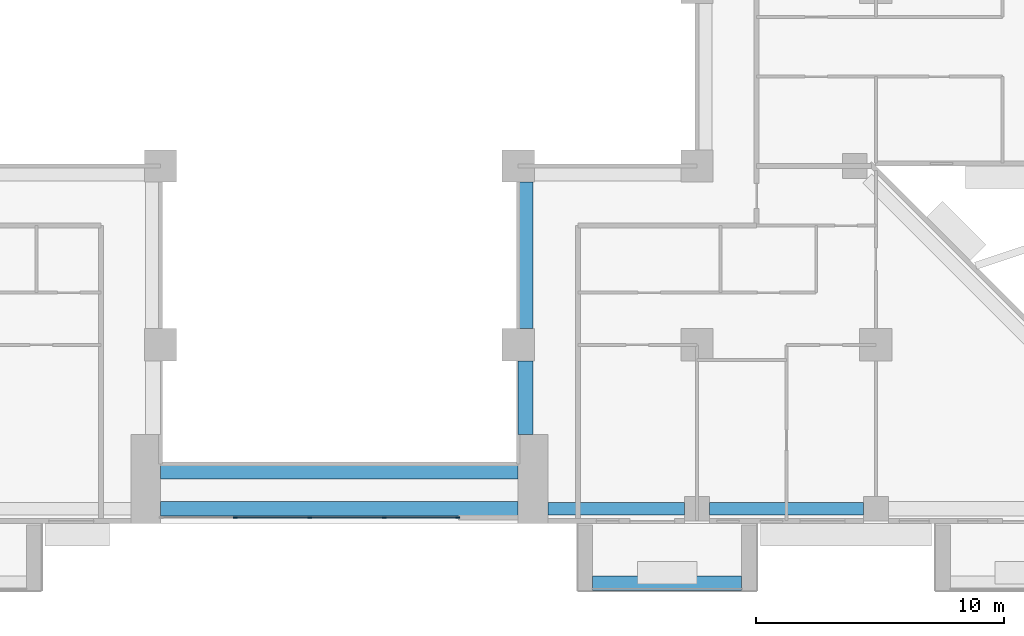
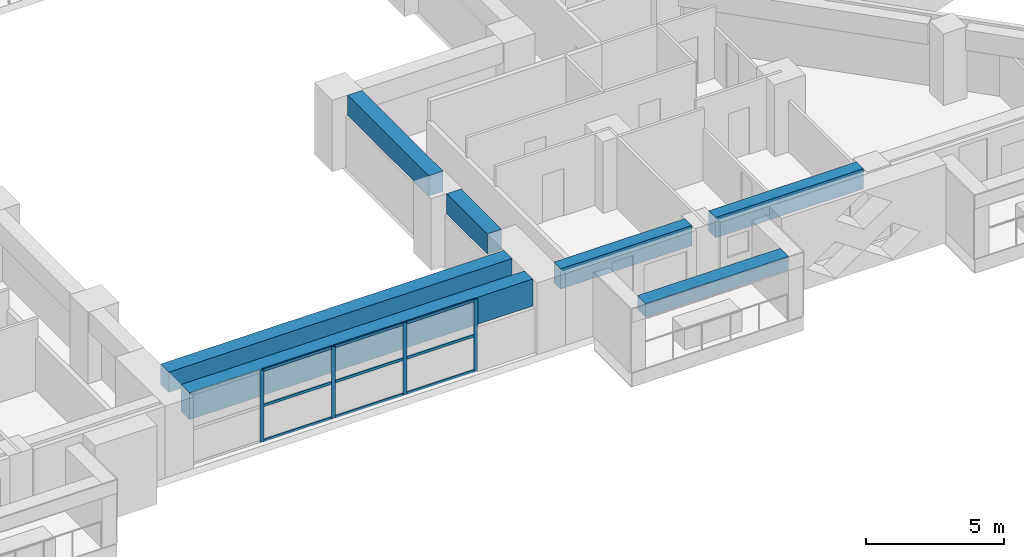
# One storey, part 4 of 17: 13 members, 7 beams, 1 element without a shape of its own.
"""IFC4 building model written with IfcOpenShell, lengths in metres."""

from ifc_helpers import new_model, si_unit, direction, frame, origin, origin_2d, place, context, subcontext, project, spatial, rectangle, extrude, source, transform, mapped, material, layer, layer_set, material_profile, profile_set, type_object, element, aggregate, save


model = new_model("IFC4")

# Units and contexts
model_context = context("Model", 3, precision=1e-05, world=origin(), true_north=direction((0.0, 1.0)))
body_context = subcontext(model_context, "Body", "Model", "MODEL_VIEW")
ifc_project = project(units=[si_unit("LENGTHUNIT", "METRE"), si_unit("AREAUNIT", "SQUARE_METRE"), si_unit("VOLUMEUNIT", "CUBIC_METRE"), si_unit("PLANEANGLEUNIT", "RADIAN"), si_unit("MASSUNIT", "GRAM", prefix="KILO")], contexts=[model_context])

# Site, building, storey
site_placement = place(None, origin())
site = spatial("IfcSite", under=ifc_project, at=site_placement, CompositionType="ELEMENT")
building_placement = place(site_placement, origin())
building = spatial("IfcBuilding", under=site, at=building_placement, Name="Saffron Iwan Residences", CompositionType="ELEMENT")
storey_placement = place(building_placement, frame((0.0, 0.0, 79.5)))
storey = spatial("IfcBuildingStorey", under=building, at=storey_placement, Name="L20", CompositionType="ELEMENT", Elevation=79.5)

# Beams
ifc_material_1 = material(Name="Concrete C60/75", Category="concrete")
ifc_material_profile_1 = material_profile(ifc_material_1, rectangle(XDim=0.60009765625, YDim=1.199951171875, at=origin_2d()), Name="RC 600x1200")
ifc_profile_set_1 = profile_set([ifc_material_profile_1], Name="Concrete C60/75")
beam_type_1 = type_object("IfcBeamType", Name="LINTEL BEAM RC 600x1200 C60/75 TOP 3180", PredefinedType="LINTEL", material=ifc_profile_set_1)
shared_shape_1 = source(origin(), body_context, "Body", "SweptSolid", [
    extrude(rectangle(XDim=0.60009765625, YDim=1.199951171875, at=origin_2d()), origin(), (0.0, 0.0, 1.0), 14.400146484375),
])
beam_1_placement = place(storey_placement, frame((57.60009765625, 34.199951171875, 2.580078125), z_axis=(-1.0, 0.0, 0.0), x_axis=(0.0, -1.0, 0.0)))
element("IfcBeam", 1, at=beam_1_placement, inside=storey, type_object=beam_type_1, Name="Lintel beam over the iwan", PredefinedType="LINTEL", context=body_context, shape_type="MappedRepresentation", body=[
    mapped(shared_shape_1, transform((0.0, 0.0, 0.0))),
])
ifc_material_profile_2 = material_profile(ifc_material_1, rectangle(XDim=0.60009765625, YDim=0.89990234375, at=origin_2d()), Name="RC 600x900")
ifc_profile_set_2 = profile_set([ifc_material_profile_2], Name="Concrete C60/75")
beam_type_2 = type_object("IfcBeamType", Name="BEAM RC 600x900 C60/75 TOP 3180", PredefinedType="BEAM", material=ifc_profile_set_2)
shared_shape_2 = source(origin(), body_context, "Body", "SweptSolid", [
    extrude(rectangle(XDim=0.60009765625, YDim=0.89990234375, at=origin_2d()), origin(), (0.0, 0.0, 1.0), 14.400146484375),
])
beam_2_placement = place(storey_placement, frame((57.60009765625, 35.699951171875, 2.72998046875), z_axis=(-1.0, 0.0, 0.0), x_axis=(0.0, -1.0, 0.0)))
element("IfcBeam", 2, at=beam_2_placement, inside=storey, type_object=beam_type_2, Name="Atrium edge beam", PredefinedType="BEAM", context=body_context, shape_type="MappedRepresentation", body=[
    mapped(shared_shape_2, transform((0.0, 0.0, 0.0))),
])
ifc_material_profile_3 = material_profile(ifc_material_1, rectangle(XDim=0.5, YDim=0.89990234375, at=origin_2d()), Name="RC 500x900")
ifc_profile_set_3 = profile_set([ifc_material_profile_3], Name="Concrete C60/75")
beam_type_3 = type_object("IfcBeamType", Name="SPANDREL BEAM RC 500x900 C60/75 TOP 3180", PredefinedType="SPANDREL", material=ifc_profile_set_3)
shared_shape_3 = source(origin(), body_context, "Body", "SweptSolid", [
    extrude(rectangle(XDim=0.5, YDim=0.89990234375, at=origin_2d()), origin(), (0.0, 0.0, 1.0), 6.199951171875),
])
beam_3_placement = place(storey_placement, frame((71.5, 34.199951171875, 2.72998046875), z_axis=(-1.0, 0.0, 0.0), x_axis=(0.0, -1.0, 0.0)))
element("IfcBeam", 3, at=beam_3_placement, inside=storey, type_object=beam_type_3, Name="Spandrel beam", PredefinedType="SPANDREL", context=body_context, shape_type="MappedRepresentation", body=[
    mapped(shared_shape_3, transform((0.0, 0.0, 0.0))),
])
shared_shape_4 = source(origin(), body_context, "Body", "SweptSolid", [
    extrude(rectangle(XDim=0.5, YDim=0.89990234375, at=origin_2d()), origin(), (0.0, 0.0, 1.0), 5.5),
])
beam_4_placement = place(storey_placement, frame((64.300048828125, 34.199951171875, 2.72998046875), z_axis=(-1.0, 0.0, 0.0), x_axis=(0.0, -1.0, 0.0)))
element("IfcBeam", 4, at=beam_4_placement, inside=storey, type_object=beam_type_3, Name="Spandrel beam", PredefinedType="SPANDREL", context=body_context, shape_type="MappedRepresentation", body=[
    mapped(shared_shape_4, transform((0.0, 0.0, 0.0))),
])
shared_shape_5 = source(origin(), body_context, "Body", "SweptSolid", [
    extrude(rectangle(XDim=0.60009765625, YDim=0.89990234375, at=origin_2d()), origin(), (0.0, 0.0, 1.0), 2.949951171875),
])
beam_5_placement = place(storey_placement, frame((57.89990234375, 40.14990234375, 2.72998046875), z_axis=(0.0, -1.0, 0.0), x_axis=(1.0, 0.0, 0.0)))
element("IfcBeam", 5, at=beam_5_placement, inside=storey, type_object=beam_type_2, Name="Atrium edge beam", PredefinedType="BEAM", context=body_context, shape_type="MappedRepresentation", body=[
    mapped(shared_shape_5, transform((0.0, 0.0, 0.0))),
])
shared_shape_6 = source(origin(), body_context, "Body", "SweptSolid", [
    extrude(rectangle(XDim=0.60009765625, YDim=0.89990234375, at=origin_2d()), origin(), (0.0, 0.0, 1.0), 5.900146484375),
])
beam_6_placement = place(storey_placement, frame((57.89990234375, 47.35009765625, 2.72998046875), z_axis=(0.0, -1.0, 0.0), x_axis=(1.0, 0.0, 0.0)))
element("IfcBeam", 6, at=beam_6_placement, inside=storey, type_object=beam_type_2, Name="Atrium edge beam", PredefinedType="BEAM", context=body_context, shape_type="MappedRepresentation", body=[
    mapped(shared_shape_6, transform((0.0, 0.0, 0.0))),
])

# Curtain wall, members
ifc_material_2 = material(Name="Clear glass, laminated double glazed", Category="glass")
ifc_layer = layer(ifc_material_2, 0.199951171875)
ifc_layer_set = layer_set([ifc_layer], Name="Clear glass, laminated double glazed")
curtain_wall_type = type_object("IfcCurtainWallType", Name="CW-B IWAN PORTAL", PredefinedType="NOTDEFINED", material=ifc_layer_set)
curtain_wall_placement = place(storey_placement, origin())
curtain_wall = element("IfcCurtainWall", 7, at=curtain_wall_placement, inside=storey, type_object=curtain_wall_type, Name="Iwan portal glazing L20.1", PredefinedType="NOTDEFINED")
ifc_material_3 = material(Name="Aluminium 6063-T6", Category="aluminium")
ifc_material_profile_4 = material_profile(ifc_material_3, rectangle(XDim=0.06005859375, YDim=0.159912109375, at=origin_2d()), Name="CW-B MULLION 60 x 160")
ifc_profile_set_4 = profile_set([ifc_material_profile_4], Name="Aluminium 6063-T6")
member_type_1 = type_object("IfcMemberType", Name="CW-B MULLION 60 x 160", PredefinedType="MULLION", material=ifc_profile_set_4)
shared_shape_7 = source(origin(), body_context, "Body", "SweptSolid", [
    extrude(rectangle(XDim=0.06005859375, YDim=0.159912109375, at=origin_2d()), origin(), (0.0, 0.0, 1.0), 3.179931640625),
])
member_1_placement = place(storey_placement, frame((46.199951171875, 33.85009765625, 0.0), z_axis=(0.0, 0.0, 1.0), x_axis=(0.0, 1.0, 0.0)))
member_1 = element("IfcMember", 8, at=member_1_placement, type_object=member_type_1, Name="CW-B mullion 2", PredefinedType="MULLION", context=body_context, shape_type="MappedRepresentation", body=[
    mapped(shared_shape_7, transform((0.0, 0.0, 0.0))),
])
member_2_placement = place(storey_placement, frame((49.199951171875, 33.85009765625, 0.0), z_axis=(0.0, 0.0, 1.0), x_axis=(0.0, 1.0, 0.0)))
member_2 = element("IfcMember", 9, at=member_2_placement, type_object=member_type_1, Name="CW-B mullion 3", PredefinedType="MULLION", context=body_context, shape_type="MappedRepresentation", body=[
    mapped(shared_shape_7, transform((0.0, 0.0, 0.0))),
])
member_3_placement = place(storey_placement, frame((52.199951171875, 33.85009765625, 0.0), z_axis=(0.0, 0.0, 1.0), x_axis=(0.0, 1.0, 0.0)))
member_3 = element("IfcMember", 10, at=member_3_placement, type_object=member_type_1, Name="CW-B mullion 4", PredefinedType="MULLION", context=body_context, shape_type="MappedRepresentation", body=[
    mapped(shared_shape_7, transform((0.0, 0.0, 0.0))),
])
member_4_placement = place(storey_placement, frame((55.169921875, 33.85009765625, 0.0), z_axis=(0.0, 0.0, 1.0), x_axis=(0.0, 1.0, 0.0)))
member_4 = element("IfcMember", 11, at=member_4_placement, type_object=member_type_1, Name="CW-B mullion 5", PredefinedType="MULLION", context=body_context, shape_type="MappedRepresentation", body=[
    mapped(shared_shape_7, transform((0.0, 0.0, 0.0))),
])
ifc_material_profile_5 = material_profile(ifc_material_3, rectangle(XDim=0.06005859375, YDim=0.1201171875, at=origin_2d()), Name="CW-B TRANSOM 60 x 120")
ifc_profile_set_5 = profile_set([ifc_material_profile_5], Name="Aluminium 6063-T6")
member_type_2 = type_object("IfcMemberType", Name="CW-B TRANSOM 60 x 120", PredefinedType="USERDEFINED", material=ifc_profile_set_5)
shared_shape_8 = source(origin(), body_context, "Body", "SweptSolid", [
    extrude(rectangle(XDim=0.06005859375, YDim=0.1201171875, at=origin_2d()), origin(), (0.0, 0.0, 1.0), 2.909912109375),
])
member_5_placement = place(storey_placement, frame((52.22998046875, 33.85009765625, 0.030029296875), z_axis=(1.0, 0.0, 0.0), x_axis=(0.0, 1.0, 0.0)))
member_5 = element("IfcMember", 12, at=member_5_placement, type_object=member_type_2, Name="CW-B transom 4.1", ObjectType="TRANSOM", PredefinedType="USERDEFINED", context=body_context, shape_type="MappedRepresentation", body=[
    mapped(shared_shape_8, transform((0.0, 0.0, 0.0))),
])
member_6_placement = place(storey_placement, frame((52.22998046875, 33.85009765625, 1.590087890625), z_axis=(1.0, 0.0, 0.0), x_axis=(0.0, 1.0, 0.0)))
member_6 = element("IfcMember", 13, at=member_6_placement, type_object=member_type_2, Name="CW-B transom 4.2", ObjectType="TRANSOM", PredefinedType="USERDEFINED", context=body_context, shape_type="MappedRepresentation", body=[
    mapped(shared_shape_8, transform((0.0, 0.0, 0.0))),
])
member_7_placement = place(storey_placement, frame((52.22998046875, 33.85009765625, 3.14990234375), z_axis=(1.0, 0.0, 0.0), x_axis=(0.0, 1.0, 0.0)))
member_7 = element("IfcMember", 14, at=member_7_placement, type_object=member_type_2, Name="CW-B transom 4.3", ObjectType="TRANSOM", PredefinedType="USERDEFINED", context=body_context, shape_type="MappedRepresentation", body=[
    mapped(shared_shape_8, transform((0.0, 0.0, 0.0))),
])
shared_shape_9 = source(origin(), body_context, "Body", "SweptSolid", [
    extrude(rectangle(XDim=0.06005859375, YDim=0.1201171875, at=origin_2d()), origin(), (0.0, 0.0, 1.0), 2.93994140625),
])
member_8_placement = place(storey_placement, frame((46.22998046875, 33.85009765625, 0.030029296875), z_axis=(1.0, 0.0, 0.0), x_axis=(0.0, 1.0, 0.0)))
member_8 = element("IfcMember", 15, at=member_8_placement, type_object=member_type_2, Name="CW-B transom 2.1", ObjectType="TRANSOM", PredefinedType="USERDEFINED", context=body_context, shape_type="MappedRepresentation", body=[
    mapped(shared_shape_9, transform((0.0, 0.0, 0.0))),
])
member_9_placement = place(storey_placement, frame((46.22998046875, 33.85009765625, 1.590087890625), z_axis=(1.0, 0.0, 0.0), x_axis=(0.0, 1.0, 0.0)))
member_9 = element("IfcMember", 16, at=member_9_placement, type_object=member_type_2, Name="CW-B transom 2.2", ObjectType="TRANSOM", PredefinedType="USERDEFINED", context=body_context, shape_type="MappedRepresentation", body=[
    mapped(shared_shape_9, transform((0.0, 0.0, 0.0))),
])
member_10_placement = place(storey_placement, frame((46.22998046875, 33.85009765625, 3.14990234375), z_axis=(1.0, 0.0, 0.0), x_axis=(0.0, 1.0, 0.0)))
member_10 = element("IfcMember", 17, at=member_10_placement, type_object=member_type_2, Name="CW-B transom 2.3", ObjectType="TRANSOM", PredefinedType="USERDEFINED", context=body_context, shape_type="MappedRepresentation", body=[
    mapped(shared_shape_9, transform((0.0, 0.0, 0.0))),
])
member_11_placement = place(storey_placement, frame((49.22998046875, 33.85009765625, 0.030029296875), z_axis=(1.0, 0.0, 0.0), x_axis=(0.0, 1.0, 0.0)))
member_11 = element("IfcMember", 18, at=member_11_placement, type_object=member_type_2, Name="CW-B transom 3.1", ObjectType="TRANSOM", PredefinedType="USERDEFINED", context=body_context, shape_type="MappedRepresentation", body=[
    mapped(shared_shape_9, transform((0.0, 0.0, 0.0))),
])
member_12_placement = place(storey_placement, frame((49.22998046875, 33.85009765625, 1.590087890625), z_axis=(1.0, 0.0, 0.0), x_axis=(0.0, 1.0, 0.0)))
member_12 = element("IfcMember", 19, at=member_12_placement, type_object=member_type_2, Name="CW-B transom 3.2", ObjectType="TRANSOM", PredefinedType="USERDEFINED", context=body_context, shape_type="MappedRepresentation", body=[
    mapped(shared_shape_9, transform((0.0, 0.0, 0.0))),
])
member_13_placement = place(storey_placement, frame((49.22998046875, 33.85009765625, 3.14990234375), z_axis=(1.0, 0.0, 0.0), x_axis=(0.0, 1.0, 0.0)))
member_13 = element("IfcMember", 20, at=member_13_placement, type_object=member_type_2, Name="CW-B transom 3.3", ObjectType="TRANSOM", PredefinedType="USERDEFINED", context=body_context, shape_type="MappedRepresentation", body=[
    mapped(shared_shape_9, transform((0.0, 0.0, 0.0))),
])
aggregate(curtain_wall, [member_1, member_2, member_3, member_4, member_8, member_9, member_10, member_11, member_12, member_13, member_5, member_6, member_7])

# Beam
ifc_material_4 = material(Name="Concrete C50/60 white painted", Category="concrete")
ifc_material_profile_6 = material_profile(ifc_material_4, rectangle(XDim=0.60009765625, YDim=0.60009765625, at=origin_2d()), Name="BALCONY FASCIA BEAM 600 x 600")
ifc_profile_set_6 = profile_set([ifc_material_profile_6], Name="Concrete C50/60 white painted")
beam_type_4 = type_object("IfcBeamType", Name="BALCONY FASCIA BEAM 600 x 600", PredefinedType="BEAM", material=ifc_profile_set_6)
shared_shape_10 = source(origin(), body_context, "Body", "SweptSolid", [
    extrude(rectangle(XDim=0.60009765625, YDim=0.60009765625, at=origin_2d()), origin(), (0.0, 0.0, 1.0), 6.0),
])
beam_7_placement = place(storey_placement, frame((60.60009765625, 31.199951171875, 2.550048828125), z_axis=(1.0, 0.0, 0.0), x_axis=(0.0, 1.0, 0.0)))
element("IfcBeam", 21, at=beam_7_placement, inside=storey, type_object=beam_type_4, Name="Balcony fascia beam L20 11-1", PredefinedType="BEAM", context=body_context, shape_type="MappedRepresentation", body=[
    mapped(shared_shape_10, transform((0.0, 0.0, 0.0))),
])

save(model, "model.ifc")
